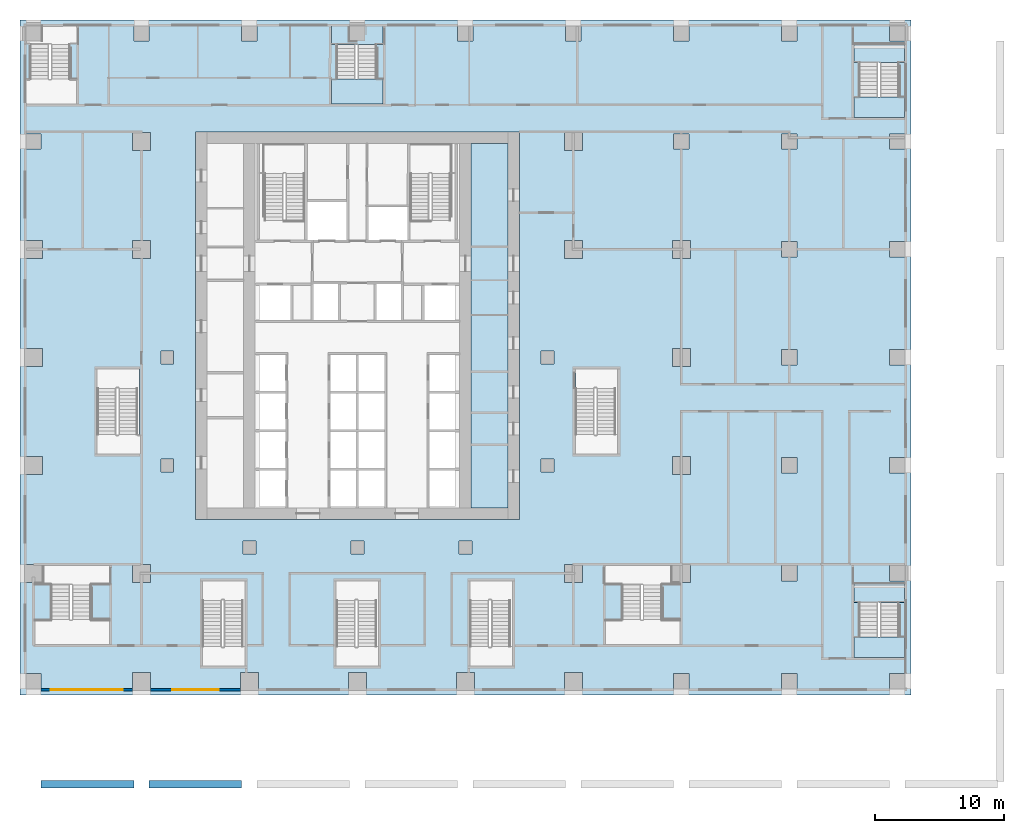
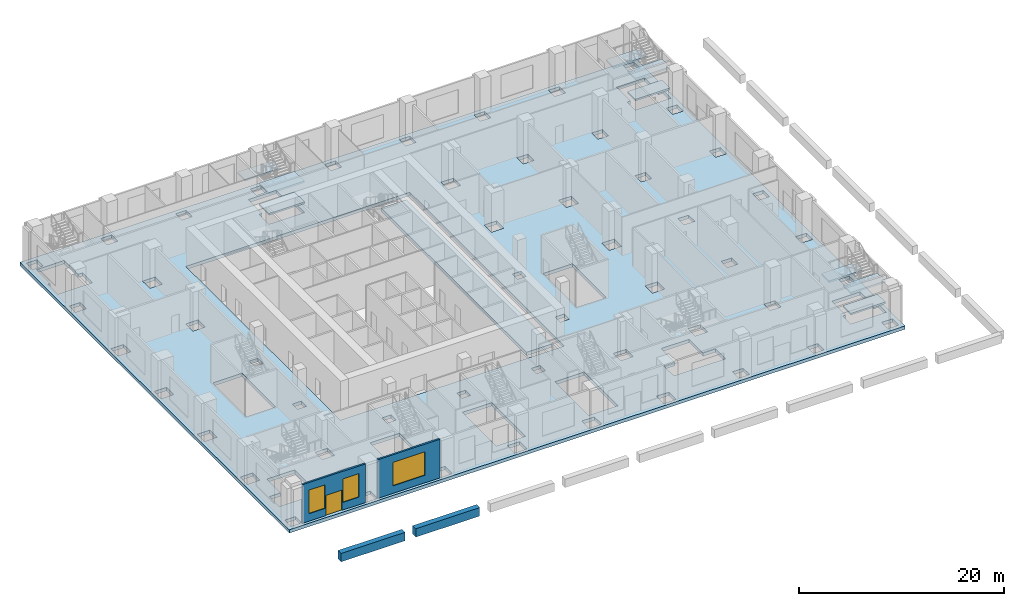
# One storey, part 2 of 21: 11 slabs, 4 walls, 3 windows, 1 door, 4 openings, 3 elements without a shape of their own.
"""IFC4 building model written with IfcOpenShell, lengths in metres."""

import ifcopenshell
import ifcopenshell.guid

model = None  # the IFC model being written
_history = None  # IfcOwnerHistory: only IFC2X3 demands one
_inside = {}  # id of a spatial element -> (the spatial element, [elements in it])
_under = {}  # id of a project, library or spatial element -> (it, [spatial elements below it])
_declared = {}  # id of a project -> (the project, [libraries it declares])
_typed = {}  # id of a type object -> (the type object, [elements of that type])
_made_of = {}  # id of a material, layer set ... -> (it, [elements and type objects made of it])


def new_model(schema):
    """Start an empty IFC model of exactly this schema.

    Asked for "IFC4X3", IfcOpenShell would pick the latest addendum, in which some entities
    have other attributes; the version numbers below select the first issue.
    IFC2X3 requires an IfcOwnerHistory on every rooted entity: one is made here for all.
    """
    global model, _history
    if schema == "IFC4X3":
        model = ifcopenshell.file(schema_version=(4, 3, 0, 0))
    else:
        model = ifcopenshell.file(schema=schema)
    _inside.clear()
    _under.clear()
    _declared.clear()
    _typed.clear()
    _made_of.clear()
    _history = None
    if model.schema == "IFC2X3":
        org = make("IfcOrganization", Name="unknown")
        user = make(
            "IfcPersonAndOrganization",
            ThePerson=make("IfcPerson", FamilyName="unknown"),
            TheOrganization=org,
        )
        app = make(
            "IfcApplication",
            ApplicationDeveloper=org,
            Version="unknown",
            ApplicationFullName="unknown",
            ApplicationIdentifier="unknown",
        )
        _history = make(
            "IfcOwnerHistory",
            OwningUser=user,
            OwningApplication=app,
            ChangeAction="ADDED",
            CreationDate=0,
        )
    return model


def make(cls, **values):
    """One entity of the class cls with the attributes given. An attribute that is None is left unset."""
    return model.create_entity(
        cls, **{name: value for name, value in values.items() if value is not None}
    )


def rooted(cls, **values):
    """An entity with a GlobalId (a new one), such as an element, a storey or a relation."""
    return make(cls, GlobalId=ifcopenshell.guid.new(), OwnerHistory=_history, **values)


def si_unit(unit_type, name, prefix=None):
    """IfcSIUnit, for example si_unit("LENGTHUNIT", "METRE", prefix="MILLI")."""
    return make("IfcSIUnit", UnitType=unit_type, Prefix=prefix, Name=name)


def assignment(units):
    """IfcUnitAssignment: the units of a project."""
    return None if units is None else make("IfcUnitAssignment", Units=units)


def point(xyz):
    """IfcCartesianPoint."""
    return None if xyz is None else make("IfcCartesianPoint", Coordinates=xyz)


def direction(xyz):
    """IfcDirection."""
    return None if xyz is None else make("IfcDirection", DirectionRatios=xyz)


def frame(location, z_axis=None, x_axis=None):
    """IfcAxis2Placement3D, a coordinate frame: its origin and axes. An axis left out is left unset."""
    return make(
        "IfcAxis2Placement3D",
        Location=point(location),
        Axis=direction(z_axis),
        RefDirection=direction(x_axis),
    )


def frame_2d(location, x_axis=None):
    """IfcAxis2Placement2D, a coordinate frame in the plane: its origin and x axis."""
    return make(
        "IfcAxis2Placement2D", Location=point(location), RefDirection=direction(x_axis)
    )


def origin():
    """The frame at (0, 0, 0) with its axes left unset."""
    return frame((0.0, 0.0, 0.0))


def place(relative_to, where):
    """IfcLocalPlacement: puts the frame where relative to a parent placement (None: the world)."""
    return make(
        "IfcLocalPlacement", PlacementRelTo=relative_to, RelativePlacement=where
    )


def context(
    kind, dimensions, precision=None, world=None, true_north=None, identifier=None
):
    """IfcGeometricRepresentationContext, for example the 3D "Model" context."""
    return make(
        "IfcGeometricRepresentationContext",
        ContextIdentifier=identifier,
        ContextType=kind,
        CoordinateSpaceDimension=dimensions,
        Precision=precision,
        WorldCoordinateSystem=world,
        TrueNorth=true_north,
    )


def subcontext(parent, identifier, kind, view, scale=None):
    """IfcGeometricRepresentationSubContext, for example "Body" below "Model"."""
    return make(
        "IfcGeometricRepresentationSubContext",
        ContextIdentifier=identifier,
        ContextType=kind,
        ParentContext=parent,
        TargetScale=scale,
        TargetView=view,
    )


def project(units=None, contexts=None):
    """IfcProject with its units and contexts."""
    return rooted(
        "IfcProject",
        Name="project",
        RepresentationContexts=contexts,
        UnitsInContext=assignment(units),
    )


def spatial(cls, under=None, at=None, **own):
    """A site, building, storey or space (cls), placed at a placement, below another one or the project."""
    s = rooted(cls, ObjectPlacement=at, **own)
    if under is not None:
        _under.setdefault(under.id(), (under, []))[1].append(s)
    return s


def polyline(points):
    """IfcPolyline through the points."""
    return make("IfcPolyline", Points=[point(p) for p in points])


def profile(cls, at=None, kind="AREA", **sizes):
    """A parametric profile (cls). Its sizes go by their IFC names, for example OverallWidth=200.0."""
    return make(cls, ProfileType=kind, Position=at, **sizes)


def rectangle(**sizes):
    """IfcRectangleProfileDef."""
    return profile("IfcRectangleProfileDef", **sizes)


def outline(outer, holes=None, kind="AREA"):
    """IfcArbitraryClosedProfileDef: a profile drawn as a closed curve; with holes, ...WithVoids."""
    if holes is None:
        return make("IfcArbitraryClosedProfileDef", ProfileType=kind, OuterCurve=outer)
    return make(
        "IfcArbitraryProfileDefWithVoids",
        ProfileType=kind,
        OuterCurve=outer,
        InnerCurves=holes,
    )


def extrude(swept, where, along, depth):
    """IfcExtrudedAreaSolid: the profile swept, set in the frame where, extruded along a direction by depth."""
    return make(
        "IfcExtrudedAreaSolid",
        SweptArea=swept,
        Position=where,
        ExtrudedDirection=direction(along),
        Depth=depth,
    )


def shape(context_of_items, identifier, shape_type, items):
    """IfcShapeRepresentation: the items that make up one representation, for example the "Body"."""
    return make(
        "IfcShapeRepresentation",
        ContextOfItems=context_of_items,
        RepresentationIdentifier=identifier,
        RepresentationType=shape_type,
        Items=items,
    )


def material(Name=None, Category=None):
    """IfcMaterial."""
    return make("IfcMaterial", Name=Name, Category=Category)


def layer(
    of_material, thickness, ventilated=None, Name=None, Category=None, Priority=None
):
    """IfcMaterialLayer: one layer of a wall or slab, of a material (None: an air gap)."""
    return make(
        "IfcMaterialLayer",
        Material=of_material,
        LayerThickness=thickness,
        IsVentilated=ventilated,
        Name=Name,
        Category=Category,
        Priority=Priority,
    )


def layer_set(layers, Name=None):
    """IfcMaterialLayerSet."""
    return make("IfcMaterialLayerSet", MaterialLayers=layers, LayerSetName=Name)


def made_of(thing, what):
    """Note that an element or type object is made of a material, layer set ...; save() writes the relation."""
    if what is not None:
        _made_of.setdefault(what.id(), (what, []))[1].append(thing)
    return thing


def type_object(cls, material=None, **own):
    """A type object (cls), such as IfcWallType, which elements share."""
    return made_of(rooted(cls, **own), material)


def element(
    cls,
    number,
    at=None,
    inside=None,
    cuts=None,
    type_object=None,
    material=None,
    context=None,
    identifier="Body",
    shape_type=None,
    held_by="IfcProductDefinitionShape",
    body=None,
    shapes=None,
    **own,
):
    """One element of the class cls, such as IfcWall. Its Tag is "e" and its number.

    at: its placement. inside: the storey or other place that contains it. cuts: it is an
    opening in that element (IfcRelVoidsElement). A single representation is given by context,
    identifier, shape_type and body (its items); several are given by shapes. held_by: the class
    of the entity that holds the representations. save() writes the other relations.
    """
    e = rooted(cls, Tag="e%d" % number, ObjectPlacement=at, **own)
    if body is not None:
        shapes = [shape(context, identifier, shape_type, body)]
    if shapes is not None:
        e.Representation = make(held_by, Representations=shapes)
    if inside is not None:
        _inside.setdefault(inside.id(), (inside, []))[1].append(e)
    if cuts is not None:
        rooted(
            "IfcRelVoidsElement", RelatingBuildingElement=cuts, RelatedOpeningElement=e
        )
    if type_object is not None:
        _typed.setdefault(type_object.id(), (type_object, []))[1].append(e)
    return made_of(e, material)


def fill(opening, filler):
    """IfcRelFillsElement: the door or window that sits in an opening."""
    return rooted(
        "IfcRelFillsElement",
        RelatingOpeningElement=opening,
        RelatedBuildingElement=filler,
    )


def aggregate(whole, parts):
    """IfcRelAggregates: a whole, such as a stair, and the parts it consists of."""
    return rooted("IfcRelAggregates", RelatingObject=whole, RelatedObjects=parts)


def save(model, path):
    """Write the relations noted so far, then the file.

    IfcRelAggregates (storeys below a building ...), IfcRelContainedInSpatialStructure (elements
    in a storey), IfcRelDefinesByType, IfcRelAssociatesMaterial and IfcRelDeclares: one each for
    every whole, place, type object, material and project.
    """
    for whole, parts in _under.values():
        aggregate(whole, parts)
    for where, things in _inside.values():
        rooted(
            "IfcRelContainedInSpatialStructure",
            RelatedElements=things,
            RelatingStructure=where,
        )
    for kind, things in _typed.values():
        rooted("IfcRelDefinesByType", RelatedObjects=things, RelatingType=kind)
    for what, things in _made_of.values():
        rooted("IfcRelAssociatesMaterial", RelatedObjects=things, RelatingMaterial=what)
    for by, libraries in _declared.values():
        rooted("IfcRelDeclares", RelatingContext=by, RelatedDefinitions=libraries)
    model.write(path)


model = new_model("IFC4")

# Units and contexts
model_context = context("Model", 3, precision=1e-05, world=origin(), true_north=direction((0.0, 1.0)))
body_context = subcontext(model_context, "Body", "Model", "MODEL_VIEW")
ifc_project = project(units=[si_unit("LENGTHUNIT", "METRE"), si_unit("AREAUNIT", "SQUARE_METRE"), si_unit("VOLUMEUNIT", "CUBIC_METRE"), si_unit("PLANEANGLEUNIT", "RADIAN"), si_unit("MASSUNIT", "GRAM", prefix="KILO")], contexts=[model_context])

# Site, building, storey
site_placement = place(None, origin())
site = spatial("IfcSite", under=ifc_project, at=site_placement, CompositionType="ELEMENT")
building_placement = place(site_placement, origin())
building = spatial("IfcBuilding", under=site, at=building_placement, Name="Vermilion Ogive Tower", CompositionType="ELEMENT")
storey_placement = place(building_placement, frame((0.0, 0.0, 25.0)))
storey = spatial("IfcBuildingStorey", under=building, at=storey_placement, Name="L04", CompositionType="ELEMENT", Elevation=25.0)

# Slabs
ifc_material_1 = material(Name="Concrete B40", Category="concrete")
ifc_layer_1 = layer(ifc_material_1, 0.39990234375)
ifc_layer_set_1 = layer_set([ifc_layer_1], Name="Core floor slab 400 B40")
slab_type_1 = type_object("IfcSlabType", Name="Core floor slab 400 B40", PredefinedType="FLOOR", material=ifc_layer_set_1)
slab_1_placement = place(storey_placement, frame((0.0, 0.0, -0.39990234375)))
element("IfcSlab", 1, at=slab_1_placement, inside=storey, type_object=slab_type_1, Name="L04-CK-FS3", PredefinedType="FLOOR", context=body_context, shape_type="SweptSolid", body=[
    extrude(outline(polyline([(8.85400390625, 20.845947265625), (11.696044921875, 20.845947265625), (11.696044921875, -7.49609375), (8.85400390625, -7.49609375), (8.85400390625, 20.845947265625)])), origin(), (0.0, 0.0, 1.0), 0.39990234375),
])
ifc_material_2 = material(Name="Concrete B45", Category="concrete")
ifc_layer_2 = layer(ifc_material_2, 0.39990234375)
ifc_layer_set_2 = layer_set([ifc_layer_2], Name="Podium floor slab 400")
slab_type_2 = type_object("IfcSlabType", Name="Podium floor slab 400", PredefinedType="FLOOR", material=ifc_layer_set_2)
slab_2_placement = place(storey_placement, frame((0.0, 0.0, -0.39990234375)))
element("IfcSlab", 2, at=slab_2_placement, inside=storey, type_object=slab_type_2, Name="L04 floor slab 1", PredefinedType="FLOOR", context=body_context, shape_type="SweptSolid", body=[
    extrude(outline(polyline([(43.050048828125, -22.050048828125), (43.050048828125, 30.449951171875), (-26.25, 30.449951171875), (-26.25, -22.050048828125), (43.050048828125, -22.050048828125)]), holes=[polyline([(-24.60009765625, -20.39990234375), (-24.60009765625, -21.60009765625), (-25.800048828125, -21.60009765625), (-25.800048828125, -20.39990234375), (-24.60009765625, -20.39990234375)]), polyline([(-7.699951171875, -20.300048828125), (-7.699951171875, -21.699951171875), (-9.10009765625, -21.699951171875), (-9.10009765625, -20.300048828125), (-7.699951171875, -20.300048828125)]), polyline([(-16.10009765625, -20.300048828125), (-16.10009765625, -21.699951171875), (-17.5, -21.699951171875), (-17.5, -20.300048828125), (-16.10009765625, -20.300048828125)]), polyline([(-8.75, -13.199951171875), (-8.75, -19.800048828125), (-12.050048828125, -19.800048828125), (-12.050048828125, -13.199951171875), (-8.75, -13.199951171875)]), polyline([(-19.300048828125, -18.125), (-25.10009765625, -18.125), (-25.10009765625, -16.199951171875), (-23.85009765625, -16.199951171875), (-23.85009765625, -13.5), (-23.85009765625, -13.5), (-23.85009765625, -13.501953125), (-22.35009765625, -13.501953125), (-22.35009765625, -13.5), (-22.199951171875, -13.5), (-22.199951171875, -13.501953125), (-20.699951171875, -13.501953125), (-20.699951171875, -13.5), (-20.699951171875, -13.5), (-20.699951171875, -16.199951171875), (-19.300048828125, -16.199951171875), (-19.300048828125, -18.125)]), polyline([(-24.5, -11.89990234375), (-24.5, -13.300048828125), (-25.89990234375, -13.300048828125), (-25.89990234375, -11.89990234375), (-24.5, -11.89990234375)]), polyline([(-16.10009765625, -11.89990234375), (-16.10009765625, -13.300048828125), (-17.5, -13.300048828125), (-17.5, -11.89990234375), (-16.10009765625, -11.89990234375)]), polyline([(-7.89990234375, -10.10009765625), (-7.89990234375, -11.10009765625), (-8.89990234375, -11.10009765625), (-8.89990234375, -10.10009765625), (-7.89990234375, -10.10009765625)]), polyline([(-24.5, -3.5), (-24.5, -4.89990234375), (-25.89990234375, -4.89990234375), (-25.89990234375, -3.5), (-24.5, -3.5)]), polyline([(-14.300048828125, -3.699951171875), (-14.300048828125, -4.699951171875), (-15.300048828125, -4.699951171875), (-15.300048828125, -3.699951171875), (-14.300048828125, -3.699951171875)]), polyline([(-16.949951171875, 3.300048828125), (-16.949951171875, -3.300048828125), (-20.25, -3.300048828125), (-20.25, 3.300048828125), (-16.949951171875, 3.300048828125)]), polyline([(-14.300048828125, 4.699951171875), (-14.300048828125, 3.699951171875), (-15.300048828125, 3.699951171875), (-15.300048828125, 4.699951171875), (-14.300048828125, 4.699951171875)]), polyline([(-24.5, 4.89990234375), (-24.5, 3.5), (-25.89990234375, 3.5), (-25.89990234375, 4.89990234375), (-24.5, 4.89990234375)]), polyline([(-24.5, 13.300048828125), (-24.5, 11.89990234375), (-25.89990234375, 11.89990234375), (-25.89990234375, 13.300048828125), (-24.5, 13.300048828125)]), polyline([(-16.10009765625, 13.300048828125), (-16.10009765625, 11.89990234375), (-17.5, 11.89990234375), (-17.5, 13.300048828125), (-16.10009765625, 13.300048828125)]), polyline([(-16.10009765625, 21.699951171875), (-16.10009765625, 20.300048828125), (-17.5, 20.300048828125), (-17.5, 21.699951171875), (-16.10009765625, 21.699951171875)]), polyline([(-24.60009765625, 21.60009765625), (-24.60009765625, 20.39990234375), (-25.800048828125, 20.39990234375), (-25.800048828125, 21.60009765625), (-24.60009765625, 21.60009765625)]), polyline([(-24.0, 28.548095703125), (-24.0, 28.550048828125), (-23.85009765625, 28.550048828125), (-23.85009765625, 28.548095703125), (-22.35009765625, 28.548095703125), (-22.35009765625, 25.85009765625), (-21.85009765625, 25.85009765625), (-21.85009765625, 23.925048828125), (-25.75, 23.925048828125), (-25.75, 25.85009765625), (-25.5, 25.85009765625), (-25.5, 28.548095703125), (-24.0, 28.548095703125)]), polyline([(-16.199951171875, 30.0), (-16.199951171875, 28.800048828125), (-17.39990234375, 28.800048828125), (-17.39990234375, 30.0), (-16.199951171875, 30.0)]), polyline([(-7.800048828125, 30.0), (-7.800048828125, 28.800048828125), (-9.0, 28.800048828125), (-9.0, 30.0), (-7.800048828125, 30.0)]), polyline([(-24.60009765625, 30.0), (-24.60009765625, 28.800048828125), (-25.800048828125, 28.800048828125), (-25.800048828125, 30.0), (-24.60009765625, 30.0)]), polyline([(25.800048828125, -20.39990234375), (25.800048828125, -21.60009765625), (24.60009765625, -21.60009765625), (24.60009765625, -20.39990234375), (25.800048828125, -20.39990234375)]), polyline([(0.699951171875, -20.300048828125), (0.699951171875, -21.699951171875), (-0.699951171875, -21.699951171875), (-0.699951171875, -20.300048828125), (0.699951171875, -20.300048828125)]), polyline([(9.10009765625, -20.300048828125), (9.10009765625, -21.699951171875), (7.699951171875, -21.699951171875), (7.699951171875, -20.300048828125), (9.10009765625, -20.300048828125)]), polyline([(17.5, -20.300048828125), (17.5, -21.699951171875), (16.10009765625, -21.699951171875), (16.10009765625, -20.300048828125), (17.5, -20.300048828125)]), polyline([(1.64990234375, -13.199951171875), (1.64990234375, -19.800048828125), (-1.64990234375, -19.800048828125), (-1.64990234375, -13.199951171875), (1.64990234375, -13.199951171875)]), polyline([(12.050048828125, -13.199951171875), (12.050048828125, -19.800048828125), (8.75, -19.800048828125), (8.75, -13.199951171875), (12.050048828125, -13.199951171875)]), polyline([(23.699951171875, -13.501953125), (23.699951171875, -16.199951171875), (25.099853515625, -16.199951171875), (25.099853515625, -18.125), (19.300048828125, -18.125), (19.300048828125, -16.199951171875), (20.550048828125, -16.199951171875), (20.550048828125, -13.501953125), (22.050048828125, -13.501953125), (22.050048828125, -13.5), (22.199951171875, -13.5), (22.199951171875, -13.501953125), (23.699951171875, -13.501953125)]), polyline([(17.5, -11.89990234375), (17.5, -13.300048828125), (16.10009765625, -13.300048828125), (16.10009765625, -11.89990234375), (17.5, -11.89990234375)]), polyline([(0.5, -10.10009765625), (0.5, -11.10009765625), (-0.5, -11.10009765625), (-0.5, -10.10009765625), (0.5, -10.10009765625)]), polyline([(8.89990234375, -10.10009765625), (8.89990234375, -11.10009765625), (7.89990234375, -11.10009765625), (7.89990234375, -10.10009765625), (8.89990234375, -10.10009765625)]), polyline([(15.300048828125, -3.699951171875), (15.300048828125, -4.699951171875), (14.300048828125, -4.699951171875), (14.300048828125, -3.699951171875), (15.300048828125, -3.699951171875)]), polyline([(20.25, 3.300048828125), (20.25, -3.300048828125), (16.949951171875, -3.300048828125), (16.949951171875, 3.300048828125), (20.25, 3.300048828125)]), polyline([(15.300048828125, 4.699951171875), (15.300048828125, 3.699951171875), (14.300048828125, 3.699951171875), (14.300048828125, 4.699951171875), (15.300048828125, 4.699951171875)]), polyline([(12.60009765625, 21.75), (12.60009765625, -8.39990234375), (-12.60009765625, -8.39990234375), (-12.60009765625, 21.75), (12.60009765625, 21.75)]), polyline([(17.5, 13.300048828125), (17.5, 11.89990234375), (16.10009765625, 11.89990234375), (16.10009765625, 13.300048828125), (17.5, 13.300048828125)]), polyline([(17.5, 21.699951171875), (17.5, 20.300048828125), (16.10009765625, 20.300048828125), (16.10009765625, 21.699951171875), (17.5, 21.699951171875)]), polyline([(-2.0, 23.925048828125), (-2.0, 25.85009765625), (-1.64990234375, 25.85009765625), (-1.64990234375, 28.548095703125), (-0.14990234375, 28.548095703125), (-0.14990234375, 28.550048828125), (0.0, 28.550048828125), (0.0, 28.548095703125), (1.5, 28.548095703125), (1.5, 25.85009765625), (2.0, 25.85009765625), (2.0, 23.925048828125), (-2.0, 23.925048828125)]), polyline([(17.39990234375, 30.0), (17.39990234375, 28.800048828125), (16.199951171875, 28.800048828125), (16.199951171875, 30.0), (17.39990234375, 30.0)]), polyline([(9.0, 30.0), (9.0, 28.800048828125), (7.800048828125, 28.800048828125), (7.800048828125, 30.0), (9.0, 30.0)]), polyline([(25.800048828125, 30.0), (25.800048828125, 28.800048828125), (24.60009765625, 28.800048828125), (24.60009765625, 30.0), (25.800048828125, 30.0)]), polyline([(0.60009765625, 30.0), (0.60009765625, 28.800048828125), (-0.60009765625, 28.800048828125), (-0.60009765625, 30.0), (0.60009765625, 30.0)]), polyline([(42.60009765625, -20.39990234375), (42.60009765625, -21.60009765625), (41.39990234375, -21.60009765625), (41.39990234375, -20.39990234375), (42.60009765625, -20.39990234375)]), polyline([(34.199951171875, -20.39990234375), (34.199951171875, -21.60009765625), (33.0, -21.60009765625), (33.0, -20.39990234375), (34.199951171875, -20.39990234375)]), polyline([(39.0, -17.550048828125), (39.0, -14.85205078125), (40.5, -14.85205078125), (40.5, -14.85009765625), (40.64990234375, -14.85009765625), (40.64990234375, -14.85205078125), (42.14990234375, -14.85205078125), (42.14990234375, -17.550048828125), (42.64990234375, -17.550048828125), (42.64990234375, -19.125), (38.650146484375, -19.125), (38.650146484375, -17.550048828125), (39.0, -17.550048828125)]), polyline([(34.199951171875, -12.0), (34.199951171875, -13.199951171875), (33.0, -13.199951171875), (33.0, -12.0), (34.199951171875, -12.0)]), polyline([(42.60009765625, -12.0), (42.60009765625, -13.199951171875), (41.39990234375, -13.199951171875), (41.39990234375, -12.0), (42.60009765625, -12.0)]), polyline([(25.89990234375, -11.89990234375), (25.89990234375, -13.300048828125), (24.5, -13.300048828125), (24.5, -11.89990234375), (25.89990234375, -11.89990234375)]), polyline([(34.199951171875, -3.60009765625), (34.199951171875, -4.800048828125), (33.0, -4.800048828125), (33.0, -3.60009765625), (34.199951171875, -3.60009765625)]), polyline([(42.60009765625, -3.60009765625), (42.60009765625, -4.800048828125), (41.39990234375, -4.800048828125), (41.39990234375, -3.60009765625), (42.60009765625, -3.60009765625)]), polyline([(25.89990234375, -3.5), (25.89990234375, -4.89990234375), (24.5, -4.89990234375), (24.5, -3.5), (25.89990234375, -3.5)]), polyline([(34.199951171875, 4.800048828125), (34.199951171875, 3.60009765625), (33.0, 3.60009765625), (33.0, 4.800048828125), (34.199951171875, 4.800048828125)]), polyline([(25.89990234375, 4.89990234375), (25.89990234375, 3.5), (24.5, 3.5), (24.5, 4.89990234375), (25.89990234375, 4.89990234375)]), polyline([(42.60009765625, 4.800048828125), (42.60009765625, 3.60009765625), (41.39990234375, 3.60009765625), (41.39990234375, 4.800048828125), (42.60009765625, 4.800048828125)]), polyline([(34.199951171875, 13.199951171875), (34.199951171875, 12.0), (33.0, 12.0), (33.0, 13.199951171875), (34.199951171875, 13.199951171875)]), polyline([(25.89990234375, 13.300048828125), (25.89990234375, 11.89990234375), (24.5, 11.89990234375), (24.5, 13.300048828125), (25.89990234375, 13.300048828125)]), polyline([(42.60009765625, 13.199951171875), (42.60009765625, 12.0), (41.39990234375, 12.0), (41.39990234375, 13.199951171875), (42.60009765625, 13.199951171875)]), polyline([(34.199951171875, 21.60009765625), (34.199951171875, 20.39990234375), (33.0, 20.39990234375), (33.0, 21.60009765625), (34.199951171875, 21.60009765625)]), polyline([(42.60009765625, 21.60009765625), (42.60009765625, 20.39990234375), (41.39990234375, 20.39990234375), (41.39990234375, 21.60009765625), (42.60009765625, 21.60009765625)]), polyline([(25.800048828125, 21.60009765625), (25.800048828125, 20.39990234375), (24.60009765625, 20.39990234375), (24.60009765625, 21.60009765625), (25.800048828125, 21.60009765625)]), polyline([(40.64990234375, 27.14990234375), (40.64990234375, 27.14794921875), (42.14990234375, 27.14794921875), (42.14990234375, 24.449951171875), (42.64990234375, 24.449951171875), (42.64990234375, 22.875), (38.650146484375, 22.875), (38.650146484375, 24.449951171875), (39.0, 24.449951171875), (39.0, 27.14794921875), (40.5, 27.14794921875), (40.5, 27.14990234375), (40.64990234375, 27.14990234375)]), polyline([(34.199951171875, 28.800048828125), (33.0, 28.800048828125), (33.0, 30.0), (34.199951171875, 30.0), (34.199951171875, 28.800048828125)]), polyline([(42.60009765625, 28.800048828125), (41.39990234375, 28.800048828125), (41.39990234375, 30.0), (42.60009765625, 30.0), (42.60009765625, 28.800048828125)])]), origin(), (0.0, 0.0, 1.0), 0.39990234375),
])

# Stair, slabs
ifc_material_3 = material(Name="Concrete B40", Category="concrete")
stair_type = type_object("IfcStairType", Name="Exit stair 1500", PredefinedType="HALF_TURN_STAIR", material=ifc_material_3)
stair_1_placement = place(storey_placement, origin())
stair_1 = element("IfcStair", 3, at=stair_1_placement, inside=storey, type_object=stair_type, Name="L04 Exit Stair PS2", PredefinedType="HALF_TURN_STAIR")
ifc_material_4 = material(Name="Concrete B40", Category="concrete")
ifc_layer_3 = layer(ifc_material_4, 0.199951171875)
ifc_layer_set_3 = layer_set([ifc_layer_3], Name="Stair landing 200")
slab_type_3 = type_object("IfcSlabType", Name="Stair landing 200", PredefinedType="LANDING", material=ifc_layer_set_3)
slab_3_placement = place(storey_placement, frame((0.0, 0.0, 1.050048828125)))
slab_3 = element("IfcSlab", 4, at=slab_3_placement, type_object=slab_type_3, Name="PS2 landing 1", PredefinedType="LANDING", context=body_context, shape_type="SweptSolid", body=[
    extrude(outline(polyline([(42.550048828125, 24.449951171875), (42.14990234375, 24.449951171875), (42.14990234375, 24.451904296875), (40.64990234375, 24.451904296875), (40.64990234375, 24.449951171875), (40.5, 24.449951171875), (40.5, 24.451904296875), (39.0, 24.451904296875), (39.0, 24.449951171875), (38.650146484375, 24.449951171875), (38.650146484375, 22.875), (42.550048828125, 22.875), (42.550048828125, 24.449951171875)])), origin(), (0.0, 0.0, 1.0), 0.199951171875),
])
slab_4_placement = place(storey_placement, frame((0.0, 0.0, 2.300048828125)))
slab_4 = element("IfcSlab", 5, at=slab_4_placement, type_object=slab_type_3, Name="PS2 landing 2", PredefinedType="LANDING", context=body_context, shape_type="SweptSolid", body=[
    extrude(outline(polyline([(38.650146484375, 27.14990234375), (39.0, 27.14990234375), (39.0, 27.14794921875), (40.5, 27.14794921875), (40.5, 27.14990234375), (40.64990234375, 27.14990234375), (40.64990234375, 27.14794921875), (42.14990234375, 27.14794921875), (42.14990234375, 27.14990234375), (42.550048828125, 27.14990234375), (42.550048828125, 28.64990234375), (38.650146484375, 28.64990234375), (38.650146484375, 27.14990234375)])), origin(), (0.0, 0.0, 1.0), 0.199951171875),
])
slab_5_placement = place(storey_placement, frame((0.0, 0.0, 3.550048828125)))
slab_5 = element("IfcSlab", 6, at=slab_5_placement, type_object=slab_type_3, Name="PS2 landing 3", PredefinedType="LANDING", context=body_context, shape_type="SweptSolid", body=[
    extrude(outline(polyline([(42.550048828125, 24.449951171875), (42.14990234375, 24.449951171875), (42.14990234375, 24.451904296875), (40.64990234375, 24.451904296875), (40.64990234375, 24.449951171875), (40.5, 24.449951171875), (40.5, 24.451904296875), (39.0, 24.451904296875), (39.0, 24.449951171875), (38.650146484375, 24.449951171875), (38.650146484375, 22.875), (42.550048828125, 22.875), (42.550048828125, 24.449951171875)])), origin(), (0.0, 0.0, 1.0), 0.199951171875),
])
aggregate(stair_1, [slab_3, slab_4, slab_5])

stair_2_placement = place(storey_placement, origin())
stair_2 = element("IfcStair", 7, at=stair_2_placement, inside=storey, type_object=stair_type, Name="L04 Exit Stair PS5", PredefinedType="HALF_TURN_STAIR")
slab_6_placement = place(storey_placement, frame((0.0, 0.0, 1.050048828125)))
slab_6 = element("IfcSlab", 8, at=slab_6_placement, type_object=slab_type_3, Name="PS5 landing 1", PredefinedType="LANDING", context=body_context, shape_type="SweptSolid", body=[
    extrude(outline(polyline([(2.0, 25.85009765625), (1.5, 25.85009765625), (1.5, 25.85205078125), (0.0, 25.85205078125), (0.0, 25.85009765625), (-0.14990234375, 25.85009765625), (-0.14990234375, 25.85205078125), (-1.64990234375, 25.85205078125), (-1.64990234375, 25.85009765625), (-2.0, 25.85009765625), (-2.0, 23.925048828125), (2.0, 23.925048828125), (2.0, 25.85009765625)])), origin(), (0.0, 0.0, 1.0), 0.199951171875),
])
slab_7_placement = place(storey_placement, frame((0.0, 0.0, 2.300048828125)))
slab_7 = element("IfcSlab", 9, at=slab_7_placement, type_object=slab_type_3, Name="PS5 landing 2", PredefinedType="LANDING", context=body_context, shape_type="SweptSolid", body=[
    extrude(outline(polyline([(-2.025146484375, 28.550048828125), (-1.64990234375, 28.550048828125), (-1.64990234375, 28.548095703125), (-0.14990234375, 28.548095703125), (-0.14990234375, 28.550048828125), (0.0, 28.550048828125), (0.0, 28.548095703125), (1.5, 28.548095703125), (1.5, 28.550048828125), (2.0, 28.550048828125), (2.0, 30.050048828125), (-2.025146484375, 30.050048828125), (-2.025146484375, 28.550048828125)])), origin(), (0.0, 0.0, 1.0), 0.199951171875),
])
slab_8_placement = place(storey_placement, frame((0.0, 0.0, 3.550048828125)))
slab_8 = element("IfcSlab", 10, at=slab_8_placement, type_object=slab_type_3, Name="PS5 landing 3", PredefinedType="LANDING", context=body_context, shape_type="SweptSolid", body=[
    extrude(outline(polyline([(2.0, 25.85009765625), (1.5, 25.85009765625), (1.5, 25.85205078125), (0.0, 25.85205078125), (0.0, 25.85009765625), (-0.14990234375, 25.85009765625), (-0.14990234375, 25.85205078125), (-1.64990234375, 25.85205078125), (-1.64990234375, 25.85009765625), (-2.0, 25.85009765625), (-2.0, 23.925048828125), (2.0, 23.925048828125), (2.0, 25.85009765625)])), origin(), (0.0, 0.0, 1.0), 0.199951171875),
])
aggregate(stair_2, [slab_6, slab_7, slab_8])

stair_3_placement = place(storey_placement, origin())
stair_3 = element("IfcStair", 11, at=stair_3_placement, inside=storey, type_object=stair_type, Name="L04 Exit Stair PS6", PredefinedType="HALF_TURN_STAIR")
slab_9_placement = place(storey_placement, frame((0.0, 0.0, 1.050048828125)))
slab_9 = element("IfcSlab", 12, at=slab_9_placement, type_object=slab_type_3, Name="PS6 landing 1", PredefinedType="LANDING", context=body_context, shape_type="SweptSolid", body=[
    extrude(outline(polyline([(42.550048828125, -17.550048828125), (42.14990234375, -17.550048828125), (42.14990234375, -17.548095703125), (40.64990234375, -17.548095703125), (40.64990234375, -17.550048828125), (40.5, -17.550048828125), (40.5, -17.548095703125), (39.0, -17.548095703125), (39.0, -17.550048828125), (38.650146484375, -17.550048828125), (38.650146484375, -19.125), (42.550048828125, -19.125), (42.550048828125, -17.550048828125)])), origin(), (0.0, 0.0, 1.0), 0.199951171875),
])
slab_10_placement = place(storey_placement, frame((0.0, 0.0, 2.300048828125)))
slab_10 = element("IfcSlab", 13, at=slab_10_placement, type_object=slab_type_3, Name="PS6 landing 2", PredefinedType="LANDING", context=body_context, shape_type="SweptSolid", body=[
    extrude(outline(polyline([(38.650146484375, -14.85009765625), (39.0, -14.85009765625), (39.0, -14.85205078125), (40.5, -14.85205078125), (40.5, -14.85009765625), (40.64990234375, -14.85009765625), (40.64990234375, -14.85205078125), (42.14990234375, -14.85205078125), (42.14990234375, -14.85009765625), (42.550048828125, -14.85009765625), (42.550048828125, -13.35009765625), (38.650146484375, -13.35009765625), (38.650146484375, -14.85009765625)])), origin(), (0.0, 0.0, 1.0), 0.199951171875),
])
slab_11_placement = place(storey_placement, frame((0.0, 0.0, 3.550048828125)))
slab_11 = element("IfcSlab", 14, at=slab_11_placement, type_object=slab_type_3, Name="PS6 landing 3", PredefinedType="LANDING", context=body_context, shape_type="SweptSolid", body=[
    extrude(outline(polyline([(42.550048828125, -17.550048828125), (42.14990234375, -17.550048828125), (42.14990234375, -17.548095703125), (40.64990234375, -17.548095703125), (40.64990234375, -17.550048828125), (40.5, -17.550048828125), (40.5, -17.548095703125), (39.0, -17.548095703125), (39.0, -17.550048828125), (38.650146484375, -17.550048828125), (38.650146484375, -19.125), (42.550048828125, -19.125), (42.550048828125, -17.550048828125)])), origin(), (0.0, 0.0, 1.0), 0.199951171875),
])
aggregate(stair_3, [slab_9, slab_10, slab_11])

# Walls
ifc_material_5 = material(Name="Concrete B40", Category="concrete")
ifc_layer_4 = layer(ifc_material_5, 0.60009765625)
ifc_layer_set_4 = layer_set([ifc_layer_4], Name="Terrace planter")
wall_type_1 = type_object("IfcWallType", Name="Terrace planter", PredefinedType="USERDEFINED", material=ifc_layer_set_4)
wall_1_placement = place(storey_placement, frame((-9.0, -29.0, 0.0), z_axis=(0.0, 0.0, 1.0), x_axis=(-1.0, 0.0, 0.0)))
element("IfcWall", 15, at=wall_1_placement, inside=storey, type_object=wall_type_1, Name="Terrace planter 1.1.15", ObjectType="PLANTER", PredefinedType="USERDEFINED", context=body_context, shape_type="SweptSolid", body=[
    extrude(rectangle(XDim=7.199951171875, YDim=0.60009765625, at=frame_2d((3.60009765625, 0.0))), origin(), (0.0, 0.0, 1.0), 1.0),
])
wall_2_placement = place(storey_placement, frame((-17.39990234375, -29.0, 0.0), z_axis=(0.0, 0.0, 1.0), x_axis=(-1.0, 0.0, 0.0)))
element("IfcWall", 16, at=wall_2_placement, inside=storey, type_object=wall_type_1, Name="Terrace planter 1.1.16", ObjectType="PLANTER", PredefinedType="USERDEFINED", context=body_context, shape_type="SweptSolid", body=[
    extrude(rectangle(XDim=7.2001953125, YDim=0.60009765625, at=frame_2d((3.60009765625, 0.0))), origin(), (0.0, 0.0, 1.0), 1.0),
])

# Wall, openings, windows, door
ifc_material_6 = material(Name="Aluminium window wall framing", Category="aluminium")
ifc_layer_5 = layer(ifc_material_6, 0.199951171875)
ifc_layer_set_5 = layer_set([ifc_layer_5], Name="Window wall")
wall_type_2 = type_object("IfcWallType", Name="Window wall", PredefinedType="STANDARD", material=ifc_layer_set_5)
wall_3_placement = place(storey_placement, frame((-24.60009765625, -21.64990234375, 0.0), z_axis=(0.0, 0.0, 1.0), x_axis=(1.0, 0.0, 0.0)))
wall_3 = element("IfcWall", 17, at=wall_3_placement, inside=storey, type_object=wall_type_2, Name="Window wall S1", PredefinedType="STANDARD", context=body_context, shape_type="SweptSolid", body=[
    extrude(rectangle(XDim=7.10009765625, YDim=0.199951171875, at=frame_2d((3.550048828125, 0.0))), origin(), (0.0, 0.0, 1.0), 4.60009765625),
])
opening_1_placement = place(wall_3_placement, frame((0.75, 0.0, 0.89990234375)))
opening_1 = element("IfcOpeningElement", 18, at=opening_1_placement, cuts=wall_3, Name="Opening P-S1A", PredefinedType="OPENING", context=body_context, shape_type="SweptSolid", body=[
    extrude(rectangle(XDim=1.800048828125, YDim=2.800048828125, at=frame_2d((0.89990234375, 1.39990234375))), frame((0.0, 0.10986328125, 0.0), z_axis=(0.0, -1.0, 0.0), x_axis=(1.0, 0.0, 0.0)), (0.0, 0.0, 1.0), 0.219970703125),
])
opening_2_placement = place(wall_3_placement, frame((2.64990234375, 0.0, 0.0)))
opening_2 = element("IfcOpeningElement", 19, at=opening_2_placement, cuts=wall_3, Name="Opening D2-S1", PredefinedType="OPENING", context=body_context, shape_type="SweptSolid", body=[
    extrude(rectangle(XDim=1.800048828125, YDim=2.39990234375, at=frame_2d((0.89990234375, 1.199951171875))), frame((0.0, 0.10986328125, 0.0), z_axis=(0.0, -1.0, 0.0), x_axis=(1.0, 0.0, 0.0)), (0.0, 0.0, 1.0), 0.219970703125),
])
opening_3_placement = place(wall_3_placement, frame((4.550048828125, 0.0, 0.89990234375)))
opening_3 = element("IfcOpeningElement", 20, at=opening_3_placement, cuts=wall_3, Name="Opening P-S1B", PredefinedType="OPENING", context=body_context, shape_type="SweptSolid", body=[
    extrude(rectangle(XDim=1.800048828125, YDim=2.800048828125, at=frame_2d((0.89990234375, 1.39990234375))), frame((0.0, 0.10986328125, 0.0), z_axis=(0.0, -1.0, 0.0), x_axis=(1.0, 0.0, 0.0)), (0.0, 0.0, 1.0), 0.219970703125),
])
ifc_material_7 = material(Name="Aluminium framed double glazing", Category="aluminium")
window_type_1 = type_object("IfcWindowType", Name="Podium window P 1800x2800 sill 900", PartitioningType="SINGLE_PANEL", PredefinedType="WINDOW", material=ifc_material_7)
window_1_placement = place(opening_1_placement, origin())
window_1 = element("IfcWindow", 21, at=window_1_placement, inside=storey, type_object=window_type_1, Name="Window S1A", OverallHeight=2.800048828125, OverallWidth=1.800048828125, PartitioningType="SINGLE_PANEL", PredefinedType="WINDOW", context=body_context, shape_type="SweptSolid", body=[
    extrude(rectangle(XDim=1.800048828125, YDim=2.800048828125, at=frame_2d((0.89990234375, 1.39990234375))), frame((0.0, 0.030029296875, 0.0), z_axis=(0.0, -1.0, 0.0), x_axis=(1.0, 0.0, 0.0)), (0.0, 0.0, 1.0), 0.06005859375),
])
fill(opening_1, window_1)
window_2_placement = place(opening_3_placement, origin())
window_2 = element("IfcWindow", 22, at=window_2_placement, inside=storey, type_object=window_type_1, Name="Window S1B", OverallHeight=2.800048828125, OverallWidth=1.800048828125, PartitioningType="SINGLE_PANEL", PredefinedType="WINDOW", context=body_context, shape_type="SweptSolid", body=[
    extrude(rectangle(XDim=1.800048828125, YDim=2.800048828125, at=frame_2d((0.89990234375, 1.39990234375))), frame((0.0, 0.030029296875, 0.0), z_axis=(0.0, -1.0, 0.0), x_axis=(1.0, 0.0, 0.0)), (0.0, 0.0, 1.0), 0.06005859375),
])
fill(opening_3, window_2)
ifc_material_8 = material(Name="Aluminium framed glazed door", Category="aluminium")
door_type = type_object("IfcDoorType", Name="Terrace door D2", OperationType="SINGLE_SWING_LEFT", PredefinedType="DOOR", material=ifc_material_8)
door_placement = place(opening_2_placement, origin())
door = element("IfcDoor", 23, at=door_placement, inside=storey, type_object=door_type, Name="Terrace door S1", OperationType="SINGLE_SWING_LEFT", OverallHeight=2.39990234375, OverallWidth=1.800048828125, PredefinedType="DOOR", context=body_context, shape_type="SweptSolid", body=[
    extrude(rectangle(XDim=1.800048828125, YDim=2.39990234375, at=frame_2d((0.89990234375, 1.199951171875))), frame((0.0, 0.02490234375, 0.0), z_axis=(0.0, -1.0, 0.0), x_axis=(1.0, 0.0, 0.0)), (0.0, 0.0, 1.0), 0.050048828125),
])
fill(opening_2, door)

# Wall, opening, window
wall_4_placement = place(storey_placement, frame((-16.10009765625, -21.64990234375, 0.0), z_axis=(0.0, 0.0, 1.0), x_axis=(1.0, 0.0, 0.0)))
wall_4 = element("IfcWall", 24, at=wall_4_placement, inside=storey, type_object=wall_type_2, Name="Window wall S2", PredefinedType="STANDARD", context=body_context, shape_type="SweptSolid", body=[
    extrude(rectangle(XDim=7.0, YDim=0.199951171875, at=frame_2d((3.5, 0.0))), origin(), (0.0, 0.0, 1.0), 4.60009765625),
])
opening_4_placement = place(wall_4_placement, frame((1.699951171875, 0.0, 0.89990234375)))
opening_4 = element("IfcOpeningElement", 25, at=opening_4_placement, cuts=wall_4, Name="Opening P-S2", PredefinedType="OPENING", context=body_context, shape_type="SweptSolid", body=[
    extrude(rectangle(XDim=3.60009765625, YDim=2.800048828125, at=frame_2d((1.800048828125, 1.39990234375))), frame((0.0, 0.10986328125, 0.0), z_axis=(0.0, -1.0, 0.0), x_axis=(1.0, 0.0, 0.0)), (0.0, 0.0, 1.0), 0.219970703125),
])
ifc_material_9 = material(Name="Aluminium framed double glazing", Category="aluminium")
window_type_2 = type_object("IfcWindowType", Name="Podium window P 3600x2800 sill 900", PartitioningType="SINGLE_PANEL", PredefinedType="WINDOW", material=ifc_material_9)
window_3_placement = place(opening_4_placement, origin())
window_3 = element("IfcWindow", 26, at=window_3_placement, inside=storey, type_object=window_type_2, Name="Window S2", OverallHeight=2.800048828125, OverallWidth=3.60009765625, PartitioningType="SINGLE_PANEL", PredefinedType="WINDOW", context=body_context, shape_type="SweptSolid", body=[
    extrude(rectangle(XDim=3.60009765625, YDim=2.800048828125, at=frame_2d((1.800048828125, 1.39990234375))), frame((0.0, 0.030029296875, 0.0), z_axis=(0.0, -1.0, 0.0), x_axis=(1.0, 0.0, 0.0)), (0.0, 0.0, 1.0), 0.06005859375),
])
fill(opening_4, window_3)

save(model, "model.ifc")
